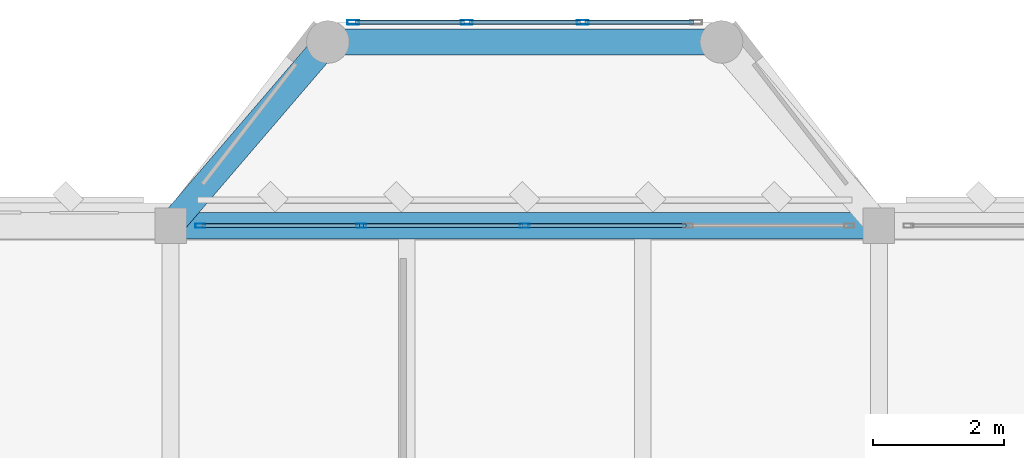
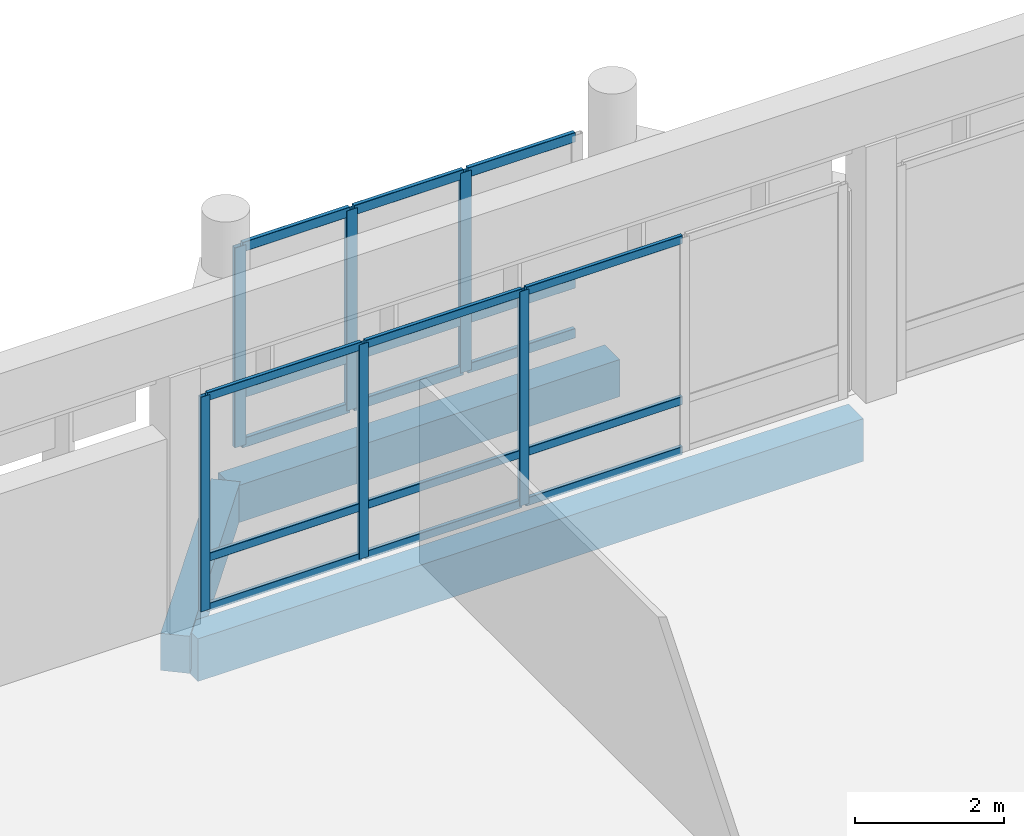
# One storey, part 12 of 33: 24 members, 3 beams, 2 elements without a shape of their own.
"""IFC4 building model written with IfcOpenShell, lengths in metres."""

import ifcopenshell
import ifcopenshell.guid

model = None  # the IFC model being written
_history = None  # IfcOwnerHistory: only IFC2X3 demands one
_inside = {}  # id of a spatial element -> (the spatial element, [elements in it])
_under = {}  # id of a project, library or spatial element -> (it, [spatial elements below it])
_declared = {}  # id of a project -> (the project, [libraries it declares])
_typed = {}  # id of a type object -> (the type object, [elements of that type])
_made_of = {}  # id of a material, layer set ... -> (it, [elements and type objects made of it])


def new_model(schema):
    """Start an empty IFC model of exactly this schema.

    Asked for "IFC4X3", IfcOpenShell would pick the latest addendum, in which some entities
    have other attributes; the version numbers below select the first issue.
    IFC2X3 requires an IfcOwnerHistory on every rooted entity: one is made here for all.
    """
    global model, _history
    if schema == "IFC4X3":
        model = ifcopenshell.file(schema_version=(4, 3, 0, 0))
    else:
        model = ifcopenshell.file(schema=schema)
    _inside.clear()
    _under.clear()
    _declared.clear()
    _typed.clear()
    _made_of.clear()
    _history = None
    if model.schema == "IFC2X3":
        org = make("IfcOrganization", Name="unknown")
        user = make(
            "IfcPersonAndOrganization",
            ThePerson=make("IfcPerson", FamilyName="unknown"),
            TheOrganization=org,
        )
        app = make(
            "IfcApplication",
            ApplicationDeveloper=org,
            Version="unknown",
            ApplicationFullName="unknown",
            ApplicationIdentifier="unknown",
        )
        _history = make(
            "IfcOwnerHistory",
            OwningUser=user,
            OwningApplication=app,
            ChangeAction="ADDED",
            CreationDate=0,
        )
    return model


def make(cls, **values):
    """One entity of the class cls with the attributes given. An attribute that is None is left unset."""
    return model.create_entity(
        cls, **{name: value for name, value in values.items() if value is not None}
    )


def rooted(cls, **values):
    """An entity with a GlobalId (a new one), such as an element, a storey or a relation."""
    return make(cls, GlobalId=ifcopenshell.guid.new(), OwnerHistory=_history, **values)


def si_unit(unit_type, name, prefix=None):
    """IfcSIUnit, for example si_unit("LENGTHUNIT", "METRE", prefix="MILLI")."""
    return make("IfcSIUnit", UnitType=unit_type, Prefix=prefix, Name=name)


def assignment(units):
    """IfcUnitAssignment: the units of a project."""
    return None if units is None else make("IfcUnitAssignment", Units=units)


def point(xyz):
    """IfcCartesianPoint."""
    return None if xyz is None else make("IfcCartesianPoint", Coordinates=xyz)


def direction(xyz):
    """IfcDirection."""
    return None if xyz is None else make("IfcDirection", DirectionRatios=xyz)


def frame(location, z_axis=None, x_axis=None):
    """IfcAxis2Placement3D, a coordinate frame: its origin and axes. An axis left out is left unset."""
    return make(
        "IfcAxis2Placement3D",
        Location=point(location),
        Axis=direction(z_axis),
        RefDirection=direction(x_axis),
    )


def frame_2d(location, x_axis=None):
    """IfcAxis2Placement2D, a coordinate frame in the plane: its origin and x axis."""
    return make(
        "IfcAxis2Placement2D", Location=point(location), RefDirection=direction(x_axis)
    )


def origin():
    """The frame at (0, 0, 0) with its axes left unset."""
    return frame((0.0, 0.0, 0.0))


def origin_2d():
    """The frame at (0, 0) in the plane with its x axis left unset."""
    return frame_2d((0.0, 0.0))


def place(relative_to, where):
    """IfcLocalPlacement: puts the frame where relative to a parent placement (None: the world)."""
    return make(
        "IfcLocalPlacement", PlacementRelTo=relative_to, RelativePlacement=where
    )


def context(
    kind, dimensions, precision=None, world=None, true_north=None, identifier=None
):
    """IfcGeometricRepresentationContext, for example the 3D "Model" context."""
    return make(
        "IfcGeometricRepresentationContext",
        ContextIdentifier=identifier,
        ContextType=kind,
        CoordinateSpaceDimension=dimensions,
        Precision=precision,
        WorldCoordinateSystem=world,
        TrueNorth=true_north,
    )


def subcontext(parent, identifier, kind, view, scale=None):
    """IfcGeometricRepresentationSubContext, for example "Body" below "Model"."""
    return make(
        "IfcGeometricRepresentationSubContext",
        ContextIdentifier=identifier,
        ContextType=kind,
        ParentContext=parent,
        TargetScale=scale,
        TargetView=view,
    )


def project(units=None, contexts=None):
    """IfcProject with its units and contexts."""
    return rooted(
        "IfcProject",
        Name="project",
        RepresentationContexts=contexts,
        UnitsInContext=assignment(units),
    )


def spatial(cls, under=None, at=None, **own):
    """A site, building, storey or space (cls), placed at a placement, below another one or the project."""
    s = rooted(cls, ObjectPlacement=at, **own)
    if under is not None:
        _under.setdefault(under.id(), (under, []))[1].append(s)
    return s


def profile(cls, at=None, kind="AREA", **sizes):
    """A parametric profile (cls). Its sizes go by their IFC names, for example OverallWidth=200.0."""
    return make(cls, ProfileType=kind, Position=at, **sizes)


def rectangle(**sizes):
    """IfcRectangleProfileDef."""
    return profile("IfcRectangleProfileDef", **sizes)


def hollow_rectangle(**sizes):
    """IfcRectangleHollowProfileDef."""
    return profile("IfcRectangleHollowProfileDef", **sizes)


def extrude(swept, where, along, depth):
    """IfcExtrudedAreaSolid: the profile swept, set in the frame where, extruded along a direction by depth."""
    return make(
        "IfcExtrudedAreaSolid",
        SweptArea=swept,
        Position=where,
        ExtrudedDirection=direction(along),
        Depth=depth,
    )


def shape(context_of_items, identifier, shape_type, items):
    """IfcShapeRepresentation: the items that make up one representation, for example the "Body"."""
    return make(
        "IfcShapeRepresentation",
        ContextOfItems=context_of_items,
        RepresentationIdentifier=identifier,
        RepresentationType=shape_type,
        Items=items,
    )


def material(Name=None, Category=None):
    """IfcMaterial."""
    return make("IfcMaterial", Name=Name, Category=Category)


def material_profile(
    of_material, cross_section, Name=None, Category=None, Priority=None
):
    """IfcMaterialProfile: a cross section and its material."""
    return make(
        "IfcMaterialProfile",
        Name=Name,
        Material=of_material,
        Profile=cross_section,
        Priority=Priority,
        Category=Category,
    )


def profile_set(profiles, Name=None, composite=None):
    """IfcMaterialProfileSet."""
    return make(
        "IfcMaterialProfileSet",
        Name=Name,
        MaterialProfiles=profiles,
        CompositeProfile=composite,
    )


def made_of(thing, what):
    """Note that an element or type object is made of a material, layer set ...; save() writes the relation."""
    if what is not None:
        _made_of.setdefault(what.id(), (what, []))[1].append(thing)
    return thing


def type_object(cls, material=None, **own):
    """A type object (cls), such as IfcWallType, which elements share."""
    return made_of(rooted(cls, **own), material)


def element(
    cls,
    number,
    at=None,
    inside=None,
    cuts=None,
    type_object=None,
    material=None,
    context=None,
    identifier="Body",
    shape_type=None,
    held_by="IfcProductDefinitionShape",
    body=None,
    shapes=None,
    **own,
):
    """One element of the class cls, such as IfcWall. Its Tag is "e" and its number.

    at: its placement. inside: the storey or other place that contains it. cuts: it is an
    opening in that element (IfcRelVoidsElement). A single representation is given by context,
    identifier, shape_type and body (its items); several are given by shapes. held_by: the class
    of the entity that holds the representations. save() writes the other relations.
    """
    e = rooted(cls, Tag="e%d" % number, ObjectPlacement=at, **own)
    if body is not None:
        shapes = [shape(context, identifier, shape_type, body)]
    if shapes is not None:
        e.Representation = make(held_by, Representations=shapes)
    if inside is not None:
        _inside.setdefault(inside.id(), (inside, []))[1].append(e)
    if cuts is not None:
        rooted(
            "IfcRelVoidsElement", RelatingBuildingElement=cuts, RelatedOpeningElement=e
        )
    if type_object is not None:
        _typed.setdefault(type_object.id(), (type_object, []))[1].append(e)
    return made_of(e, material)


def aggregate(whole, parts):
    """IfcRelAggregates: a whole, such as a stair, and the parts it consists of."""
    return rooted("IfcRelAggregates", RelatingObject=whole, RelatedObjects=parts)


def save(model, path):
    """Write the relations noted so far, then the file.

    IfcRelAggregates (storeys below a building ...), IfcRelContainedInSpatialStructure (elements
    in a storey), IfcRelDefinesByType, IfcRelAssociatesMaterial and IfcRelDeclares: one each for
    every whole, place, type object, material and project.
    """
    for whole, parts in _under.values():
        aggregate(whole, parts)
    for where, things in _inside.values():
        rooted(
            "IfcRelContainedInSpatialStructure",
            RelatedElements=things,
            RelatingStructure=where,
        )
    for kind, things in _typed.values():
        rooted("IfcRelDefinesByType", RelatedObjects=things, RelatingType=kind)
    for what, things in _made_of.values():
        rooted("IfcRelAssociatesMaterial", RelatedObjects=things, RelatingMaterial=what)
    for by, libraries in _declared.values():
        rooted("IfcRelDeclares", RelatingContext=by, RelatedDefinitions=libraries)
    model.write(path)


model = new_model("IFC4")

# Units and contexts
model_context = context("Model", 3, precision=1e-05, world=origin(), true_north=direction((0.0, 1.0)))
body_context = subcontext(model_context, "Body", "Model", "MODEL_VIEW")
ifc_project = project(units=[si_unit("LENGTHUNIT", "METRE"), si_unit("AREAUNIT", "SQUARE_METRE"), si_unit("VOLUMEUNIT", "CUBIC_METRE"), si_unit("PLANEANGLEUNIT", "RADIAN"), si_unit("MASSUNIT", "GRAM", prefix="KILO")], contexts=[model_context])

# Site, building, storey
site_placement = place(None, origin())
site = spatial("IfcSite", under=ifc_project, at=site_placement, CompositionType="ELEMENT")
building_placement = place(site_placement, origin())
building = spatial("IfcBuilding", under=site, at=building_placement, Name="Lusvemor Sports Hall", CompositionType="ELEMENT")
storey_placement = place(building_placement, frame((0.0, 0.0, 19.199951171875)))
storey = spatial("IfcBuildingStorey", under=building, at=storey_placement, Name="L04", CompositionType="ELEMENT", Elevation=19.199951171875)

# Curtain wall, members
ifc_material_1 = material(Name="Thermally broken bronze-anodized aluminium", Category="aluminium")
curtain_wall_type_1 = type_object("IfcCurtainWallType", Name="CW_FOYER_A", PredefinedType="NOTDEFINED", material=ifc_material_1)
curtain_wall_1_placement = place(storey_placement, origin())
curtain_wall_1 = element("IfcCurtainWall", 1, at=curtain_wall_1_placement, inside=storey, type_object=curtain_wall_type_1, Name="Curtain Wall CW-BOW-N1-L04-M", PredefinedType="NOTDEFINED")
ifc_material_2 = material(Name="Thermally broken bronze-anodized aluminium", Category="aluminium")
ifc_material_profile_1 = material_profile(ifc_material_2, hollow_rectangle(XDim=0.070068359375, YDim=0.179931640625, WallThickness=0.0048828125, InnerFilletRadius=0.0048828125, OuterFilletRadius=0.010009765625, at=origin_2d()), Name="CWMUL180x70x5")
ifc_profile_set_1 = profile_set([ifc_material_profile_1], Name="Thermally broken bronze-anodized aluminium")
member_type_1 = type_object("IfcMemberType", Name="CW_MUL_A", PredefinedType="MULLION", material=ifc_profile_set_1)
member_1_placement = place(storey_placement, frame((24.385009765625, 118.300048828125, 0.0), z_axis=(0.0, 0.0, 1.0), x_axis=(0.0, 1.0, 0.0)))
member_1 = element("IfcMember", 2, at=member_1_placement, type_object=member_type_1, Name="CW01 mullion 1", PredefinedType="MULLION", context=body_context, shape_type="SweptSolid", body=[
    extrude(hollow_rectangle(XDim=0.070068359375, YDim=0.179931640625, WallThickness=0.0048828125, InnerFilletRadius=0.0048828125, OuterFilletRadius=0.010009765625, at=origin_2d()), origin(), (0.0, 0.0, 1.0), 3.280029296875),
])
member_2_placement = place(storey_placement, frame((26.11669921875, 118.300048828125, 0.0), z_axis=(0.0, 0.0, 1.0), x_axis=(0.0, 1.0, 0.0)))
member_2 = element("IfcMember", 3, at=member_2_placement, type_object=member_type_1, Name="CW01 mullion 2", PredefinedType="MULLION", context=body_context, shape_type="SweptSolid", body=[
    extrude(hollow_rectangle(XDim=0.070068359375, YDim=0.179931640625, WallThickness=0.0048828125, InnerFilletRadius=0.0048828125, OuterFilletRadius=0.010009765625, at=origin_2d()), origin(), (0.0, 0.0, 1.0), 3.280029296875),
])
member_3_placement = place(storey_placement, frame((27.88330078125, 118.300048828125, 0.0), z_axis=(0.0, 0.0, 1.0), x_axis=(0.0, 1.0, 0.0)))
member_3 = element("IfcMember", 4, at=member_3_placement, type_object=member_type_1, Name="CW01 mullion 3", PredefinedType="MULLION", context=body_context, shape_type="SweptSolid", body=[
    extrude(hollow_rectangle(XDim=0.070068359375, YDim=0.179931640625, WallThickness=0.0048828125, InnerFilletRadius=0.0048828125, OuterFilletRadius=0.010009765625, at=origin_2d()), origin(), (0.0, 0.0, 1.0), 3.280029296875),
])

ifc_material_3 = material(Name="Thermally broken bronze-anodized aluminium", Category="aluminium")
curtain_wall_type_2 = type_object("IfcCurtainWallType", Name="CW_WING_B", PredefinedType="NOTDEFINED", material=ifc_material_3)
curtain_wall_2_placement = place(storey_placement, origin())
curtain_wall_2 = element("IfcCurtainWall", 5, at=curtain_wall_2_placement, inside=storey, type_object=curtain_wall_type_2, Name="Curtain Wall CW-L04-N-1-2", PredefinedType="NOTDEFINED")
ifc_material_4 = material(Name="Thermally broken bronze-anodized aluminium", Category="aluminium")
ifc_material_profile_2 = material_profile(ifc_material_4, hollow_rectangle(XDim=0.06494140625, YDim=0.14990234375, WallThickness=0.00390625, InnerFilletRadius=0.00390625, OuterFilletRadius=0.008056640625, at=origin_2d()), Name="CWMUL150x65x4")
ifc_profile_set_2 = profile_set([ifc_material_profile_2], Name="Thermally broken bronze-anodized aluminium")
member_type_2 = type_object("IfcMemberType", Name="CW_MUL_B", PredefinedType="MULLION", material=ifc_profile_set_2)
member_4_placement = place(storey_placement, frame((22.052490234375, 115.199951171875, 0.0), z_axis=(0.0, 0.0, 1.0), x_axis=(0.0, 1.0, 0.0)))
member_4 = element("IfcMember", 6, at=member_4_placement, type_object=member_type_2, Name="CW02 mullion 1", PredefinedType="MULLION", context=body_context, shape_type="SweptSolid", body=[
    extrude(hollow_rectangle(XDim=0.06494140625, YDim=0.14990234375, WallThickness=0.00390625, InnerFilletRadius=0.00390625, OuterFilletRadius=0.008056640625, at=origin_2d()), origin(), (0.0, 0.0, 1.0), 3.52001953125),
])
member_5_placement = place(storey_placement, frame((24.510009765625, 115.199951171875, 0.0), z_axis=(0.0, 0.0, 1.0), x_axis=(0.0, 1.0, 0.0)))
member_5 = element("IfcMember", 7, at=member_5_placement, type_object=member_type_2, Name="CW02 mullion 2", PredefinedType="MULLION", context=body_context, shape_type="SweptSolid", body=[
    extrude(hollow_rectangle(XDim=0.06494140625, YDim=0.14990234375, WallThickness=0.00390625, InnerFilletRadius=0.00390625, OuterFilletRadius=0.008056640625, at=origin_2d()), origin(), (0.0, 0.0, 1.0), 3.52001953125),
])
member_6_placement = place(storey_placement, frame((27.0, 115.199951171875, 0.0), z_axis=(0.0, 0.0, 1.0), x_axis=(0.0, 1.0, 0.0)))
member_6 = element("IfcMember", 8, at=member_6_placement, type_object=member_type_2, Name="CW02 mullion 3", PredefinedType="MULLION", context=body_context, shape_type="SweptSolid", body=[
    extrude(hollow_rectangle(XDim=0.06494140625, YDim=0.14990234375, WallThickness=0.00390625, InnerFilletRadius=0.00390625, OuterFilletRadius=0.008056640625, at=origin_2d()), origin(), (0.0, 0.0, 1.0), 3.52001953125),
])

# Member
ifc_material_5 = material(Name="Thermally broken bronze-anodized aluminium", Category="aluminium")
ifc_material_profile_3 = material_profile(ifc_material_5, hollow_rectangle(XDim=0.06494140625, YDim=0.159912109375, WallThickness=0.00390625, InnerFilletRadius=0.00390625, OuterFilletRadius=0.008056640625, at=origin_2d()), Name="CWTRN160x65x4")
ifc_profile_set_3 = profile_set([ifc_material_profile_3], Name="Thermally broken bronze-anodized aluminium")
member_type_3 = type_object("IfcMemberType", Name="CW_TRN_A", PredefinedType="USERDEFINED", material=ifc_profile_set_3)
member_7_placement = place(storey_placement, frame((24.419921875, 118.300048828125, 0.032470703125), z_axis=(1.0, 0.0, 0.0), x_axis=(0.0, 1.0, 0.0)))
member_7 = element("IfcMember", 9, at=member_7_placement, type_object=member_type_3, Name="CW01 transom 1.1", ObjectType="TRANSOM", PredefinedType="USERDEFINED", context=body_context, shape_type="SweptSolid", body=[
    extrude(hollow_rectangle(XDim=0.06494140625, YDim=0.159912109375, WallThickness=0.00390625, InnerFilletRadius=0.00390625, OuterFilletRadius=0.008056640625, at=origin_2d()), origin(), (0.0, 0.0, 1.0), 1.661865234375),
])

member_8_placement = place(storey_placement, frame((24.419921875, 118.300048828125, 0.85009765625), z_axis=(1.0, 0.0, 0.0), x_axis=(0.0, 1.0, 0.0)))
member_8 = element("IfcMember", 10, at=member_8_placement, type_object=member_type_3, Name="CW01 transom 1.2", ObjectType="TRANSOM", PredefinedType="USERDEFINED", context=body_context, shape_type="SweptSolid", body=[
    extrude(hollow_rectangle(XDim=0.06494140625, YDim=0.159912109375, WallThickness=0.00390625, InnerFilletRadius=0.00390625, OuterFilletRadius=0.008056640625, at=origin_2d()), origin(), (0.0, 0.0, 1.0), 1.661865234375),
])

member_9_placement = place(storey_placement, frame((24.419921875, 118.300048828125, 3.24755859375), z_axis=(1.0, 0.0, 0.0), x_axis=(0.0, 1.0, 0.0)))
member_9 = element("IfcMember", 11, at=member_9_placement, type_object=member_type_3, Name="CW01 transom 1.3", ObjectType="TRANSOM", PredefinedType="USERDEFINED", context=body_context, shape_type="SweptSolid", body=[
    extrude(hollow_rectangle(XDim=0.06494140625, YDim=0.159912109375, WallThickness=0.00390625, InnerFilletRadius=0.00390625, OuterFilletRadius=0.008056640625, at=origin_2d()), origin(), (0.0, 0.0, 1.0), 1.661865234375),
])

member_10_placement = place(storey_placement, frame((26.151611328125, 118.300048828125, 0.032470703125), z_axis=(1.0, 0.0, 0.0), x_axis=(0.0, 1.0, 0.0)))
member_10 = element("IfcMember", 12, at=member_10_placement, type_object=member_type_3, Name="CW01 transom 2.1", ObjectType="TRANSOM", PredefinedType="USERDEFINED", context=body_context, shape_type="SweptSolid", body=[
    extrude(hollow_rectangle(XDim=0.06494140625, YDim=0.159912109375, WallThickness=0.00390625, InnerFilletRadius=0.00390625, OuterFilletRadius=0.008056640625, at=origin_2d()), origin(), (0.0, 0.0, 1.0), 1.69677734375),
])

member_11_placement = place(storey_placement, frame((26.151611328125, 118.300048828125, 0.85009765625), z_axis=(1.0, 0.0, 0.0), x_axis=(0.0, 1.0, 0.0)))
member_11 = element("IfcMember", 13, at=member_11_placement, type_object=member_type_3, Name="CW01 transom 2.2", ObjectType="TRANSOM", PredefinedType="USERDEFINED", context=body_context, shape_type="SweptSolid", body=[
    extrude(hollow_rectangle(XDim=0.06494140625, YDim=0.159912109375, WallThickness=0.00390625, InnerFilletRadius=0.00390625, OuterFilletRadius=0.008056640625, at=origin_2d()), origin(), (0.0, 0.0, 1.0), 1.69677734375),
])

member_12_placement = place(storey_placement, frame((26.151611328125, 118.300048828125, 3.24755859375), z_axis=(1.0, 0.0, 0.0), x_axis=(0.0, 1.0, 0.0)))
member_12 = element("IfcMember", 14, at=member_12_placement, type_object=member_type_3, Name="CW01 transom 2.3", ObjectType="TRANSOM", PredefinedType="USERDEFINED", context=body_context, shape_type="SweptSolid", body=[
    extrude(hollow_rectangle(XDim=0.06494140625, YDim=0.159912109375, WallThickness=0.00390625, InnerFilletRadius=0.00390625, OuterFilletRadius=0.008056640625, at=origin_2d()), origin(), (0.0, 0.0, 1.0), 1.69677734375),
])

member_13_placement = place(storey_placement, frame((27.918212890625, 118.300048828125, 0.032470703125), z_axis=(1.0, 0.0, 0.0), x_axis=(0.0, 1.0, 0.0)))
member_13 = element("IfcMember", 15, at=member_13_placement, type_object=member_type_3, Name="CW01 transom 3.1", ObjectType="TRANSOM", PredefinedType="USERDEFINED", context=body_context, shape_type="SweptSolid", body=[
    extrude(hollow_rectangle(XDim=0.06494140625, YDim=0.159912109375, WallThickness=0.00390625, InnerFilletRadius=0.00390625, OuterFilletRadius=0.008056640625, at=origin_2d()), origin(), (0.0, 0.0, 1.0), 1.661865234375),
])

member_14_placement = place(storey_placement, frame((27.918212890625, 118.300048828125, 0.85009765625), z_axis=(1.0, 0.0, 0.0), x_axis=(0.0, 1.0, 0.0)))
member_14 = element("IfcMember", 16, at=member_14_placement, type_object=member_type_3, Name="CW01 transom 3.2", ObjectType="TRANSOM", PredefinedType="USERDEFINED", context=body_context, shape_type="SweptSolid", body=[
    extrude(hollow_rectangle(XDim=0.06494140625, YDim=0.159912109375, WallThickness=0.00390625, InnerFilletRadius=0.00390625, OuterFilletRadius=0.008056640625, at=origin_2d()), origin(), (0.0, 0.0, 1.0), 1.661865234375),
])

member_15_placement = place(storey_placement, frame((27.918212890625, 118.300048828125, 3.24755859375), z_axis=(1.0, 0.0, 0.0), x_axis=(0.0, 1.0, 0.0)))
member_15 = element("IfcMember", 17, at=member_15_placement, type_object=member_type_3, Name="CW01 transom 3.3", ObjectType="TRANSOM", PredefinedType="USERDEFINED", context=body_context, shape_type="SweptSolid", body=[
    extrude(hollow_rectangle(XDim=0.06494140625, YDim=0.159912109375, WallThickness=0.00390625, InnerFilletRadius=0.00390625, OuterFilletRadius=0.008056640625, at=origin_2d()), origin(), (0.0, 0.0, 1.0), 1.661865234375),
])

aggregate(curtain_wall_1, [member_1, member_2, member_3, member_7, member_8, member_9, member_10, member_11, member_12, member_13, member_14, member_15])

ifc_material_6 = material(Name="Thermally broken bronze-anodized aluminium", Category="aluminium")
ifc_material_profile_4 = material_profile(ifc_material_6, hollow_rectangle(XDim=0.06005859375, YDim=0.135009765625, WallThickness=0.00390625, InnerFilletRadius=0.00390625, OuterFilletRadius=0.008056640625, at=origin_2d()), Name="CWTRN135x60x4")
ifc_profile_set_4 = profile_set([ifc_material_profile_4], Name="Thermally broken bronze-anodized aluminium")
member_type_4 = type_object("IfcMemberType", Name="CW_TRN_B", PredefinedType="USERDEFINED", material=ifc_profile_set_4)
member_16_placement = place(storey_placement, frame((22.0849609375, 115.199951171875, 0.030029296875), z_axis=(1.0, 0.0, 0.0), x_axis=(0.0, 1.0, 0.0)))
member_16 = element("IfcMember", 18, at=member_16_placement, type_object=member_type_4, Name="CW02 transom 1.1", ObjectType="TRANSOM", PredefinedType="USERDEFINED", context=body_context, shape_type="SweptSolid", body=[
    extrude(hollow_rectangle(XDim=0.06005859375, YDim=0.135009765625, WallThickness=0.00390625, InnerFilletRadius=0.00390625, OuterFilletRadius=0.008056640625, at=origin_2d()), origin(), (0.0, 0.0, 1.0), 2.392578125),
])

member_17_placement = place(storey_placement, frame((22.0849609375, 115.199951171875, 0.85009765625), z_axis=(1.0, 0.0, 0.0), x_axis=(0.0, 1.0, 0.0)))
member_17 = element("IfcMember", 19, at=member_17_placement, type_object=member_type_4, Name="CW02 transom 1.2", ObjectType="TRANSOM", PredefinedType="USERDEFINED", context=body_context, shape_type="SweptSolid", body=[
    extrude(hollow_rectangle(XDim=0.06005859375, YDim=0.135009765625, WallThickness=0.00390625, InnerFilletRadius=0.00390625, OuterFilletRadius=0.008056640625, at=origin_2d()), origin(), (0.0, 0.0, 1.0), 2.392578125),
])

member_18_placement = place(storey_placement, frame((22.0849609375, 115.199951171875, 3.489990234375), z_axis=(1.0, 0.0, 0.0), x_axis=(0.0, 1.0, 0.0)))
member_18 = element("IfcMember", 20, at=member_18_placement, type_object=member_type_4, Name="CW02 transom 1.3", ObjectType="TRANSOM", PredefinedType="USERDEFINED", context=body_context, shape_type="SweptSolid", body=[
    extrude(hollow_rectangle(XDim=0.06005859375, YDim=0.135009765625, WallThickness=0.00390625, InnerFilletRadius=0.00390625, OuterFilletRadius=0.008056640625, at=origin_2d()), origin(), (0.0, 0.0, 1.0), 2.392578125),
])

member_19_placement = place(storey_placement, frame((24.54248046875, 115.199951171875, 0.030029296875), z_axis=(1.0, 0.0, 0.0), x_axis=(0.0, 1.0, 0.0)))
member_19 = element("IfcMember", 21, at=member_19_placement, type_object=member_type_4, Name="CW02 transom 2.1", ObjectType="TRANSOM", PredefinedType="USERDEFINED", context=body_context, shape_type="SweptSolid", body=[
    extrude(hollow_rectangle(XDim=0.06005859375, YDim=0.135009765625, WallThickness=0.00390625, InnerFilletRadius=0.00390625, OuterFilletRadius=0.008056640625, at=origin_2d()), origin(), (0.0, 0.0, 1.0), 2.425048828125),
])

member_20_placement = place(storey_placement, frame((24.54248046875, 115.199951171875, 0.85009765625), z_axis=(1.0, 0.0, 0.0), x_axis=(0.0, 1.0, 0.0)))
member_20 = element("IfcMember", 22, at=member_20_placement, type_object=member_type_4, Name="CW02 transom 2.2", ObjectType="TRANSOM", PredefinedType="USERDEFINED", context=body_context, shape_type="SweptSolid", body=[
    extrude(hollow_rectangle(XDim=0.06005859375, YDim=0.135009765625, WallThickness=0.00390625, InnerFilletRadius=0.00390625, OuterFilletRadius=0.008056640625, at=origin_2d()), origin(), (0.0, 0.0, 1.0), 2.425048828125),
])

member_21_placement = place(storey_placement, frame((24.54248046875, 115.199951171875, 3.489990234375), z_axis=(1.0, 0.0, 0.0), x_axis=(0.0, 1.0, 0.0)))
member_21 = element("IfcMember", 23, at=member_21_placement, type_object=member_type_4, Name="CW02 transom 2.3", ObjectType="TRANSOM", PredefinedType="USERDEFINED", context=body_context, shape_type="SweptSolid", body=[
    extrude(hollow_rectangle(XDim=0.06005859375, YDim=0.135009765625, WallThickness=0.00390625, InnerFilletRadius=0.00390625, OuterFilletRadius=0.008056640625, at=origin_2d()), origin(), (0.0, 0.0, 1.0), 2.425048828125),
])

member_22_placement = place(storey_placement, frame((27.032470703125, 115.199951171875, 0.030029296875), z_axis=(1.0, 0.0, 0.0), x_axis=(0.0, 1.0, 0.0)))
member_22 = element("IfcMember", 24, at=member_22_placement, type_object=member_type_4, Name="CW02 transom 3.1", ObjectType="TRANSOM", PredefinedType="USERDEFINED", context=body_context, shape_type="SweptSolid", body=[
    extrude(hollow_rectangle(XDim=0.06005859375, YDim=0.135009765625, WallThickness=0.00390625, InnerFilletRadius=0.00390625, OuterFilletRadius=0.008056640625, at=origin_2d()), origin(), (0.0, 0.0, 1.0), 2.425048828125),
])

member_23_placement = place(storey_placement, frame((27.032470703125, 115.199951171875, 0.85009765625), z_axis=(1.0, 0.0, 0.0), x_axis=(0.0, 1.0, 0.0)))
member_23 = element("IfcMember", 25, at=member_23_placement, type_object=member_type_4, Name="CW02 transom 3.2", ObjectType="TRANSOM", PredefinedType="USERDEFINED", context=body_context, shape_type="SweptSolid", body=[
    extrude(hollow_rectangle(XDim=0.06005859375, YDim=0.135009765625, WallThickness=0.00390625, InnerFilletRadius=0.00390625, OuterFilletRadius=0.008056640625, at=origin_2d()), origin(), (0.0, 0.0, 1.0), 2.425048828125),
])

member_24_placement = place(storey_placement, frame((27.032470703125, 115.199951171875, 3.489990234375), z_axis=(1.0, 0.0, 0.0), x_axis=(0.0, 1.0, 0.0)))
member_24 = element("IfcMember", 26, at=member_24_placement, type_object=member_type_4, Name="CW02 transom 3.3", ObjectType="TRANSOM", PredefinedType="USERDEFINED", context=body_context, shape_type="SweptSolid", body=[
    extrude(hollow_rectangle(XDim=0.06005859375, YDim=0.135009765625, WallThickness=0.00390625, InnerFilletRadius=0.00390625, OuterFilletRadius=0.008056640625, at=origin_2d()), origin(), (0.0, 0.0, 1.0), 2.425048828125),
])

aggregate(curtain_wall_2, [member_4, member_5, member_6, member_16, member_17, member_18, member_19, member_20, member_21, member_22, member_23, member_24])

# Beams
ifc_material_7 = material(Name="Concrete C40/50", Category="concrete")
ifc_material_profile_5 = material_profile(ifc_material_7, rectangle(XDim=0.39990234375, YDim=0.610107421875, at=origin_2d()), Name="RC400x610")
ifc_profile_set_5 = profile_set([ifc_material_profile_5], Name="Concrete C40/50")
beam_type_1 = type_object("IfcBeamType", Name="SPAND_EXT_650", PredefinedType="SPANDREL", material=ifc_profile_set_5)
beam_1_placement = place(storey_placement, frame((21.60009765625, 115.199951171875, -0.56494140625), z_axis=(0.650769565339, 0.759275294494, 0.0), x_axis=(-0.759275294494, 0.650769565339, 0.0)))
element("IfcBeam", 27, at=beam_1_placement, inside=storey, type_object=beam_type_1, Name="Bow Pavilion Edge Beam BOW-N1 L04-1", PredefinedType="SPANDREL", context=body_context, shape_type="SweptSolid", body=[
    extrude(rectangle(XDim=0.39990234375, YDim=0.610107421875, at=origin_2d()), origin(), (0.0, 0.0, 1.0), 3.687744140625),
])
beam_2_placement = place(storey_placement, frame((24.0, 118.0, -0.56494140625), z_axis=(1.0, 0.0, 0.0), x_axis=(0.0, 1.0, 0.0)))
element("IfcBeam", 28, at=beam_2_placement, inside=storey, type_object=beam_type_1, Name="Bow Pavilion Edge Beam BOW-N1 L04-2", PredefinedType="SPANDREL", context=body_context, shape_type="SweptSolid", body=[
    extrude(rectangle(XDim=0.39990234375, YDim=0.610107421875, at=origin_2d()), origin(), (0.0, 0.0, 1.0), 6.0),
])
ifc_material_8 = material(Name="Concrete C40/50", Category="concrete")
ifc_material_profile_6 = material_profile(ifc_material_8, rectangle(XDim=0.39990234375, YDim=0.699951171875, at=origin_2d()), Name="RC400x700")
ifc_profile_set_6 = profile_set([ifc_material_profile_6], Name="Concrete C40/50")
beam_type_2 = type_object("IfcBeamType", Name="SPAND_EXT_700", PredefinedType="SPANDREL", material=ifc_profile_set_6)
beam_3_placement = place(storey_placement, frame((21.8359375, 115.199951171875, -0.639892578125), z_axis=(1.0, 0.0, 0.0), x_axis=(0.0, 1.0, 0.0)))
element("IfcBeam", 29, at=beam_3_placement, inside=storey, type_object=beam_type_2, Name="Beam L04 Q:3-4", PredefinedType="SPANDREL", context=body_context, shape_type="SweptSolid", body=[
    extrude(rectangle(XDim=0.39990234375, YDim=0.699951171875, at=origin_2d()), origin(), (0.0, 0.0, 1.0), 10.328125),
])

save(model, "model.ifc")
